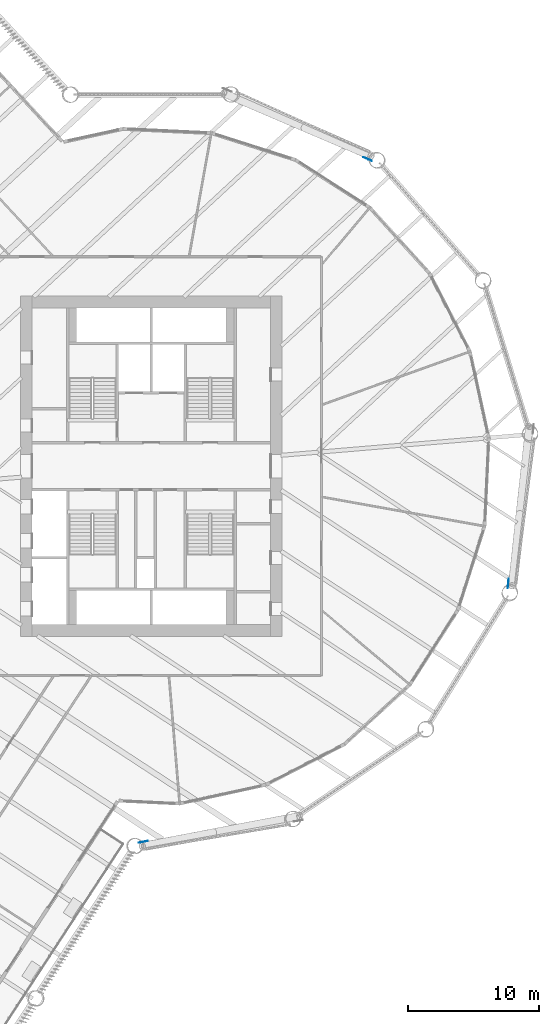
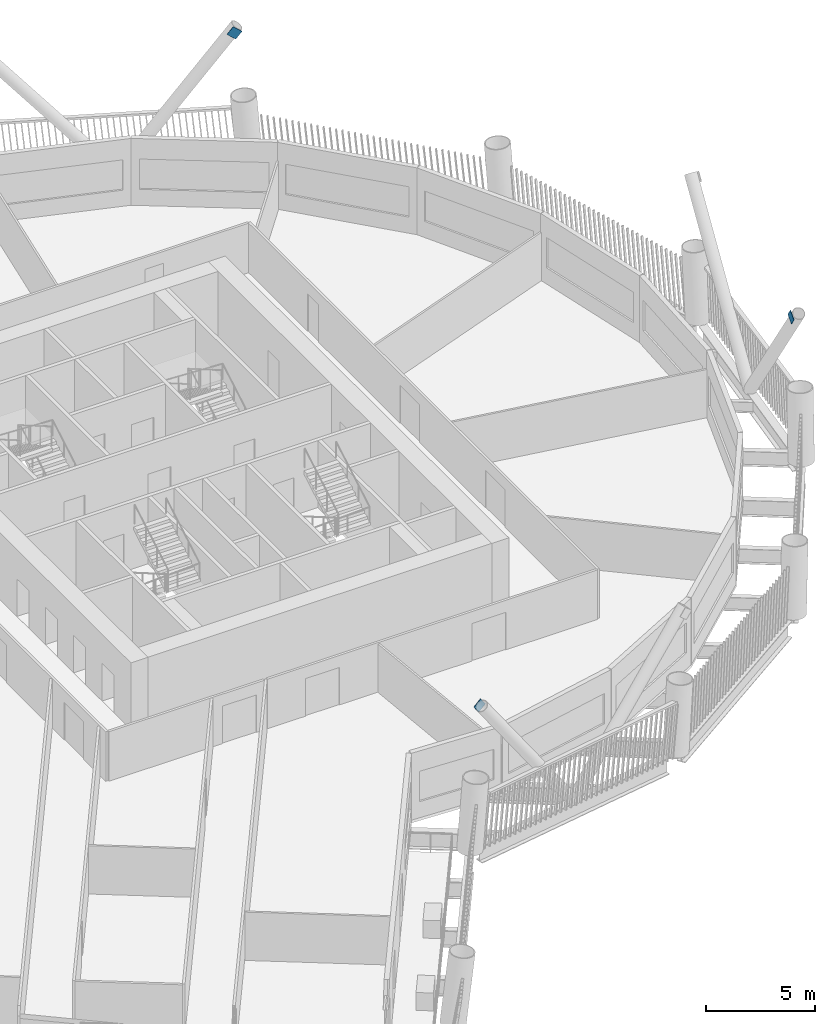
# One storey, part 14 of 22: 3 discrete accessories.
"""IFC4 building model written with IfcOpenShell, lengths in metres."""

from ifc_helpers import new_model, si_unit, direction, frame, origin, origin_2d, place, context, subcontext, project, spatial, rectangle, extrude, material, material_profile, profile_set, type_object, element, save


model = new_model("IFC4")

# Units and contexts
model_context = context("Model", 3, precision=1e-05, world=origin(), true_north=direction((0.0, 1.0)))
body_context = subcontext(model_context, "Body", "Model", "MODEL_VIEW")
ifc_project = project(units=[si_unit("LENGTHUNIT", "METRE"), si_unit("AREAUNIT", "SQUARE_METRE"), si_unit("VOLUMEUNIT", "CUBIC_METRE"), si_unit("PLANEANGLEUNIT", "RADIAN"), si_unit("MASSUNIT", "GRAM", prefix="KILO")], contexts=[model_context])

# Site, building, storey
site_placement = place(None, origin())
site = spatial("IfcSite", under=ifc_project, at=site_placement, CompositionType="ELEMENT")
building_placement = place(site_placement, origin())
building = spatial("IfcBuilding", under=site, at=building_placement, Name="Tarsis Ring Headquarters", CompositionType="ELEMENT")
storey_placement = place(building_placement, frame((0.0, 0.0, 63.39990234375)))
storey = spatial("IfcBuildingStorey", under=building, at=storey_placement, Name="L13", CompositionType="ELEMENT", Elevation=63.39990234375)

# Discrete accessories
ifc_material = material(Name="Structural steel S355", Category="steel")
ifc_material_profile = material_profile(ifc_material, rectangle(XDim=0.02490234375, YDim=0.5, at=origin_2d()), Name="PL 25x500")
ifc_profile_set = profile_set([ifc_material_profile], Name="Structural steel S355")
discrete_accessory_type = type_object("IfcDiscreteAccessoryType", Name="Gusset plate Exo brace 25", PredefinedType="BRACKET", material=ifc_profile_set)
discrete_accessory_placement = place(storey_placement, frame((-0.75439453125, -28.728515625, 7.800048828125), z_axis=(0.568185869459, 0.108853478427, -0.815668889919), x_axis=(-0.188158856955, 0.982138607605, 0.0)))
element("IfcDiscreteAccessory", 1, at=discrete_accessory_placement, inside=storey, type_object=discrete_accessory_type, Name="Gusset plate GP5", PredefinedType="BRACKET", context=body_context, shape_type="SweptSolid", body=[
    extrude(rectangle(XDim=0.02490234375, YDim=0.5, at=origin_2d()), origin(), (0.0, 0.0, 1.0), 0.500244140625),
])
for number, where, z_axis, x_axis, name in (
    (2, (27.257080078125, -9.107666015625, 7.800048828125), (0.061512461193, 0.575092692738, -0.815772402008), (-0.994328297324, 0.106354300053, 0.0), "Gusset plate GP5"),
    (3, (16.667724609375, 23.411376953125, 7.800048828125), (-0.532142008669, 0.226526506442, -0.815788345399), (-0.391676813906, -0.920102860254, 0.0), "Gusset plate GP5"),
):
    element("IfcDiscreteAccessory", number, at=place(storey_placement, frame(where, z_axis=z_axis, x_axis=x_axis)), inside=storey, type_object=discrete_accessory_type, Name=name, PredefinedType="BRACKET", context=body_context, shape_type="SweptSolid", body=[
        extrude(rectangle(XDim=0.02490234375, YDim=0.5, at=origin_2d()), origin(), (0.0, 0.0, 1.0), 0.5),
    ])

save(model, "model.ifc")
